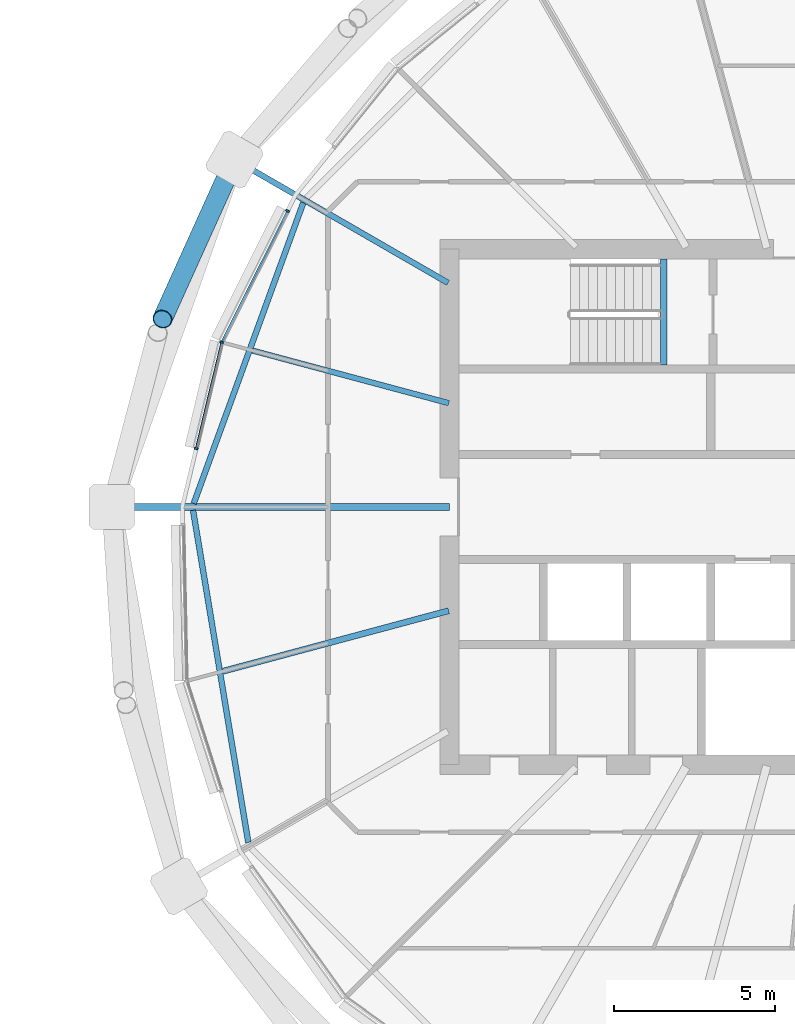
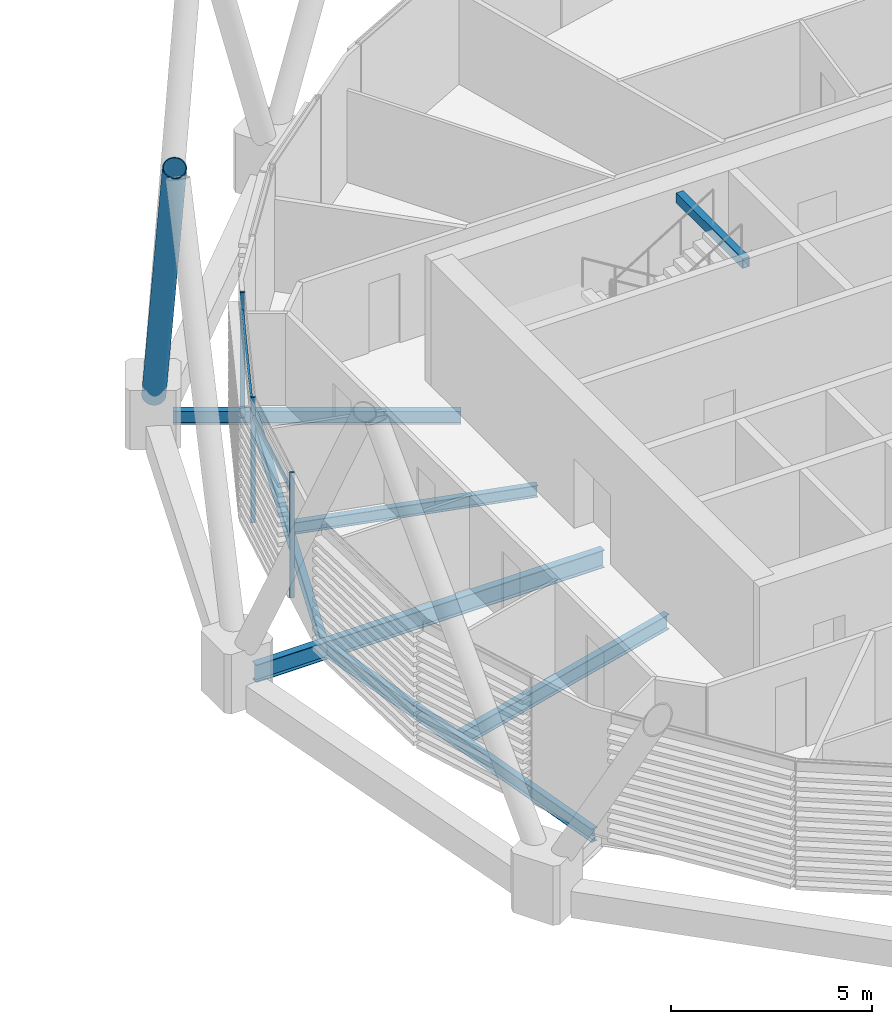
# One storey, part 15 of 36: 7 beams, 6 members, 1 element without a shape of its own.
"""IFC4 building model written with IfcOpenShell, lengths in metres."""

from ifc_helpers import new_model, si_unit, direction, frame, origin, origin_2d, place, context, subcontext, project, spatial, rectangle, hollow_rectangle, hollow_circle, i_section, extrude, material, material_profile, profile_set, type_object, element, aggregate, save


model = new_model("IFC4")

# Units and contexts
model_context = context("Model", 3, precision=1e-05, world=origin(), true_north=direction((0.0, 1.0)))
body_context = subcontext(model_context, "Body", "Model", "MODEL_VIEW")
ifc_project = project(units=[si_unit("LENGTHUNIT", "METRE"), si_unit("AREAUNIT", "SQUARE_METRE"), si_unit("VOLUMEUNIT", "CUBIC_METRE"), si_unit("PLANEANGLEUNIT", "RADIAN"), si_unit("MASSUNIT", "GRAM", prefix="KILO")], contexts=[model_context])

# Site, building, storey
site_placement = place(None, origin())
site = spatial("IfcSite", under=ifc_project, at=site_placement, CompositionType="ELEMENT")
building_placement = place(site_placement, origin())
building = spatial("IfcBuilding", under=site, at=building_placement, Name="Rimbun Link Towers", CompositionType="ELEMENT")
storey_placement = place(building_placement, frame((0.0, 0.0, 193.10009765625)))
storey = spatial("IfcBuildingStorey", under=building, at=storey_placement, Name="L47", CompositionType="ELEMENT", Elevation=193.10009765625)

# Curtain wall, members
ifc_material_1 = material(Name="Aluminium 6063-T6 and low-iron glass", Category="aluminium")
curtain_wall_type = type_object("IfcCurtainWallType", Name="CW1-Z3 unitised vision wall (zone 3)", PredefinedType="NOTDEFINED", material=ifc_material_1)
curtain_wall_placement = place(storey_placement, origin())
curtain_wall = element("IfcCurtainWall", 1, at=curtain_wall_placement, inside=storey, type_object=curtain_wall_type, Name="CW1 L47 T2", PredefinedType="NOTDEFINED")
ifc_material_2 = material(Name="Aluminium 6063-T6", Category="aluminium")
ifc_material_profile_1 = material_profile(ifc_material_2, rectangle(XDim=0.1201171875, YDim=0.06005859375, at=origin_2d()), Name="MULLION 60X120")
ifc_profile_set_1 = profile_set([ifc_material_profile_1], Name="Aluminium 6063-T6")
member_type_1 = type_object("IfcMemberType", Name="CW1 mullion 60X120", PredefinedType="MULLION", material=ifc_profile_set_1)
member_1_placement = place(storey_placement, frame((12.67724609375, 5.115966796875, 0.0), z_axis=(0.0, 0.0, 1.0), x_axis=(-0.939345723979, 0.342971734757, 0.0)))
member_1 = element("IfcMember", 2, at=member_1_placement, type_object=member_type_1, Name="CW1 mullion", PredefinedType="MULLION", context=body_context, shape_type="SweptSolid", body=[
    extrude(rectangle(XDim=0.1201171875, YDim=0.06005859375, at=origin_2d()), origin(), (0.0, 0.0, 1.0), 3.7998046875),
])
member_2_placement = place(storey_placement, frame((14.723876953125, 9.192138671875, 0.0), z_axis=(0.0, 0.0, 1.0), x_axis=(-0.893646073156, 0.448772432233, 0.0)))
member_2 = element("IfcMember", 3, at=member_2_placement, type_object=member_type_1, Name="CW1 mullion", PredefinedType="MULLION", context=body_context, shape_type="SweptSolid", body=[
    extrude(rectangle(XDim=0.1201171875, YDim=0.06005859375, at=origin_2d()), origin(), (0.0, 0.0, 1.0), 3.7998046875),
])
member_3_placement = place(storey_placement, frame((11.886962890625, 1.813232421875, 0.0), z_axis=(0.0, 0.0, 1.0), x_axis=(-0.972568754126, 0.23261560244, 0.0)))
member_3 = element("IfcMember", 4, at=member_3_placement, type_object=member_type_1, Name="CW1 mullion", PredefinedType="MULLION", context=body_context, shape_type="SweptSolid", body=[
    extrude(rectangle(XDim=0.1201171875, YDim=0.06005859375, at=origin_2d()), origin(), (0.0, 0.0, 1.0), 3.7998046875),
])
ifc_material_3 = material(Name="Aluminium 6063-T6", Category="aluminium")
ifc_material_profile_2 = material_profile(ifc_material_3, rectangle(XDim=0.06005859375, YDim=0.1201171875, at=origin_2d()), Name="TRANSOM 60X120")
ifc_profile_set_2 = profile_set([ifc_material_profile_2], Name="Aluminium 6063-T6")
member_type_2 = type_object("IfcMemberType", Name="CW1 transom 60X120", PredefinedType="USERDEFINED", material=ifc_profile_set_2)
member_4_placement = place(storey_placement, frame((12.6953125, 5.148193359375, 3.199951171875), z_axis=(0.448777466573, 0.893643544986, 0.0), x_axis=(-0.893643544986, 0.448777466573, 0.0)))
member_4 = element("IfcMember", 5, at=member_4_placement, type_object=member_type_2, Name="CW1 transom", ObjectType="TRANSOM", PredefinedType="USERDEFINED", context=body_context, shape_type="SweptSolid", body=[
    extrude(rectangle(XDim=0.06005859375, YDim=0.1201171875, at=origin_2d()), origin(), (0.0, 0.0, 1.0), 4.494140625),
])
member_5_placement = place(storey_placement, frame((11.895751953125, 1.842041015625, 3.199951171875), z_axis=(0.232618453125, 0.972568072304, 0.0), x_axis=(-0.972568072304, 0.232618453125, 0.0)))
member_5 = element("IfcMember", 6, at=member_5_placement, type_object=member_type_2, Name="CW1 transom", ObjectType="TRANSOM", PredefinedType="USERDEFINED", context=body_context, shape_type="SweptSolid", body=[
    extrude(rectangle(XDim=0.06005859375, YDim=0.1201171875, at=origin_2d()), origin(), (0.0, 0.0, 1.0), 3.3291015625),
])
aggregate(curtain_wall, [member_1, member_2, member_3, member_4, member_5])

# Member
ifc_material_4 = material(Name="Steel S355J2H", Category="steel")
ifc_material_profile_3 = material_profile(ifc_material_4, hollow_circle(Radius=0.3046875, WallThickness=0.02490234375, at=origin_2d()), Name="Diagrid diagonal CHS 610x25")
ifc_profile_set_3 = profile_set([ifc_material_profile_3], Name="Steel S355J2H")
member_type_3 = type_object("IfcMemberType", Name="Diagrid diagonal CHS 610x25", PredefinedType="BRACE", material=ifc_profile_set_3)
member_6_placement = place(storey_placement, frame((12.984130859375, 10.5791015625, 0.44775390625), z_axis=(-0.182933529453, -0.405010586719, 0.895824619246), x_axis=(0.911349055778, -0.411634423405, 0.0)))
element("IfcMember", 7, at=member_6_placement, inside=storey, type_object=member_type_3, Name="Diagrid diagonal T2 L47-L50 07b", PredefinedType="BRACE", context=body_context, shape_type="SweptSolid", body=[
    extrude(hollow_circle(Radius=0.3046875, WallThickness=0.02490234375, at=origin_2d()), origin(), (0.0, 0.0, 1.0), 11.7255859375),
])

# Beams
ifc_material_5 = material(Name="Steel S355J2", Category="steel")
ifc_material_profile_4 = material_profile(ifc_material_5, hollow_rectangle(XDim=0.199951171875, YDim=0.300048828125, WallThickness=0.011962890625, at=origin_2d()), Name="BOX 300x200x12")
ifc_profile_set_4 = profile_set([ifc_material_profile_4], Name="Steel S355J2")
beam_type_1 = type_object("IfcBeamType", Name="Stair trimmer beam BOX 300x200x12", PredefinedType="BEAM", material=ifc_profile_set_4)
beam_1_placement = place(storey_placement, frame((26.39990234375, 7.699951171875, 3.5), z_axis=(0.0, -1.0, 0.0), x_axis=(1.0, 0.0, 0.0)))
element("IfcBeam", 8, at=beam_1_placement, inside=storey, type_object=beam_type_1, Name="L47 ST3 stair beam 1", PredefinedType="BEAM", context=body_context, shape_type="SweptSolid", body=[
    extrude(hollow_rectangle(XDim=0.199951171875, YDim=0.300048828125, WallThickness=0.011962890625, at=origin_2d()), origin(), (0.0, 0.0, 1.0), 3.300048828125),
])
ifc_material_6 = material(Name="Steel S355J2", Category="steel")
ifc_material_profile_5 = material_profile(ifc_material_6, i_section(OverallWidth=0.17138671875, OverallDepth=0.35498046875, WebThickness=0.00732421875, FlangeThickness=0.011474609375, at=origin_2d()), Name="UB 356x171x51")
ifc_profile_set_5 = profile_set([ifc_material_profile_5], Name="Steel S355J2")
beam_type_2 = type_object("IfcBeamType", Name="UB 356x171x51", PredefinedType="BEAM", material=ifc_profile_set_5)
beam_2_placement = place(storey_placement, frame((19.726806640625, 3.2216796875, -0.32763671875), z_axis=(-0.965926449634, 0.258816718738, 0.0), x_axis=(-0.258816718738, -0.965926449634, 0.0)))
element("IfcBeam", 9, at=beam_2_placement, inside=storey, type_object=beam_type_2, Name="Radial beam T2 L47 08", PredefinedType="BEAM", context=body_context, shape_type="SweptSolid", body=[
    extrude(i_section(OverallWidth=0.17138671875, OverallDepth=0.35498046875, WebThickness=0.00732421875, FlangeThickness=0.011474609375, at=origin_2d()), origin(), (0.0, 0.0, 1.0), 6.305908203125),
])
ifc_material_7 = material(Name="Steel S355J2", Category="steel")
ifc_material_profile_6 = material_profile(ifc_material_7, i_section(OverallWidth=0.177978515625, OverallDepth=0.406494140625, WebThickness=0.0078125, FlangeThickness=0.0126953125, at=origin_2d()), Name="UB 406x178x60")
ifc_profile_set_6 = profile_set([ifc_material_profile_6], Name="Steel S355J2")
beam_type_3 = type_object("IfcBeamType", Name="UB 406x178x60", PredefinedType="BEAM", material=ifc_profile_set_6)
beam_3_placement = place(storey_placement, frame((19.70458984375, 6.954345703125, -0.353271484375), z_axis=(-0.866019086754, 0.500010941259, 0.0), x_axis=(-0.500010941259, -0.866019086754, 0.0)))
element("IfcBeam", 10, at=beam_3_placement, inside=storey, type_object=beam_type_3, Name="Radial beam T2 L47 07", PredefinedType="BEAM", context=body_context, shape_type="SweptSolid", body=[
    extrude(i_section(OverallWidth=0.177978515625, OverallDepth=0.406494140625, WebThickness=0.0078125, FlangeThickness=0.0126953125, at=origin_2d()), origin(), (0.0, 0.0, 1.0), 7.154541015625),
])
beam_4_placement = place(storey_placement, frame((15.212158203125, 9.4443359375, -0.353271484375), z_axis=(-0.342275528227, -0.939599628979, 0.0), x_axis=(0.939599628979, -0.342275528227, 0.0)))
element("IfcBeam", 11, at=beam_4_placement, inside=storey, type_object=beam_type_3, Name="Edge beam T2 L47 07-09", PredefinedType="BEAM", context=body_context, shape_type="SweptSolid", body=[
    extrude(i_section(OverallWidth=0.177978515625, OverallDepth=0.406494140625, WebThickness=0.0078125, FlangeThickness=0.0126953125, at=origin_2d()), origin(), (0.0, 0.0, 1.0), 9.93896484375),
])
beam_5_placement = place(storey_placement, frame((11.78955078125, -0.105712890625, -0.353271484375), z_axis=(0.164129944696, -0.986438726558, 0.0), x_axis=(0.986438726558, 0.164129944696, 0.0)))
element("IfcBeam", 12, at=beam_5_placement, inside=storey, type_object=beam_type_3, Name="Edge beam T2 L47 09-11", PredefinedType="BEAM", context=body_context, shape_type="SweptSolid", body=[
    extrude(i_section(OverallWidth=0.177978515625, OverallDepth=0.406494140625, WebThickness=0.0078125, FlangeThickness=0.0126953125, at=origin_2d()), origin(), (0.0, 0.0, 1.0), 10.447998046875),
])
ifc_material_8 = material(Name="Steel S355J2", Category="steel")
ifc_material_profile_7 = material_profile(ifc_material_8, i_section(OverallWidth=0.18994140625, OverallDepth=0.453369140625, WebThickness=0.008544921875, FlangeThickness=0.0126953125, at=origin_2d()), Name="UB 457x191x67")
ifc_profile_set_7 = profile_set([ifc_material_profile_7], Name="Steel S355J2")
beam_type_4 = type_object("IfcBeamType", Name="UB 457x191x67", PredefinedType="BEAM", material=ifc_profile_set_7)
beam_6_placement = place(storey_placement, frame((19.724609375, -3.22216796875, -0.376708984375), z_axis=(-0.965922233104, -0.258832454679, 0.0), x_axis=(0.258832454679, -0.965922233104, 0.0)))
element("IfcBeam", 13, at=beam_6_placement, inside=storey, type_object=beam_type_4, Name="Radial beam T2 L47 10", PredefinedType="BEAM", context=body_context, shape_type="SweptSolid", body=[
    extrude(i_section(OverallWidth=0.18994140625, OverallDepth=0.453369140625, WebThickness=0.008544921875, FlangeThickness=0.0126953125, at=origin_2d()), origin(), (0.0, 0.0, 1.0), 7.260009765625),
])
ifc_material_9 = material(Name="Steel S355J2", Category="steel")
ifc_material_profile_8 = material_profile(ifc_material_9, i_section(OverallWidth=0.209228515625, OverallDepth=0.533203125, WebThickness=0.010009765625, FlangeThickness=0.015625, at=origin_2d()), Name="UB 533x210x92")
ifc_profile_set_8 = profile_set([ifc_material_profile_8], Name="Steel S355J2")
beam_type_5 = type_object("IfcBeamType", Name="UB 533x210x92", PredefinedType="BEAM", material=ifc_profile_set_8)
beam_7_placement = place(storey_placement, frame((19.7490234375, 0.0, -0.416748046875), z_axis=(-1.0, 0.0, 0.0), x_axis=(0.0, -1.0, 0.0)))
element("IfcBeam", 14, at=beam_7_placement, inside=storey, type_object=beam_type_5, Name="Radial beam T2 L47 09", PredefinedType="BEAM", context=body_context, shape_type="SweptSolid", body=[
    extrude(i_section(OverallWidth=0.209228515625, OverallDepth=0.533203125, WebThickness=0.010009765625, FlangeThickness=0.015625, at=origin_2d()), origin(), (0.0, 0.0, 1.0), 9.984130859375),
])

save(model, "model.ifc")
